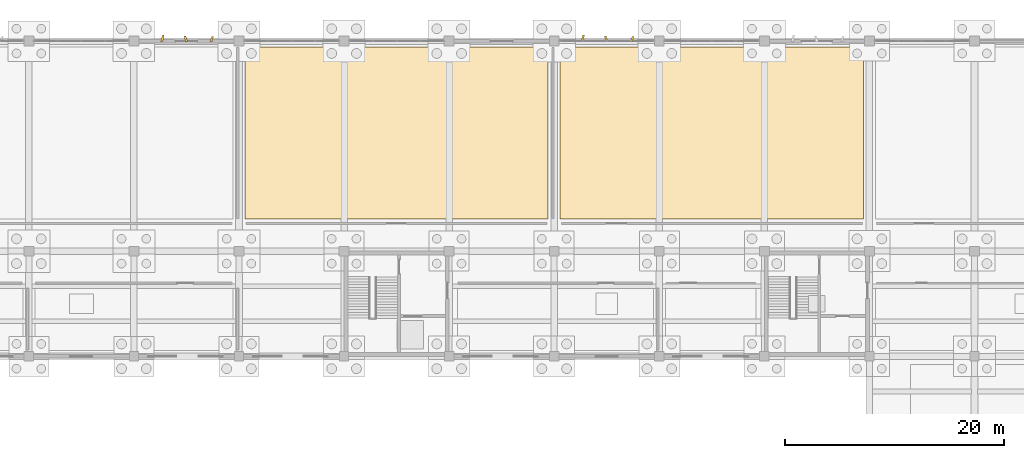
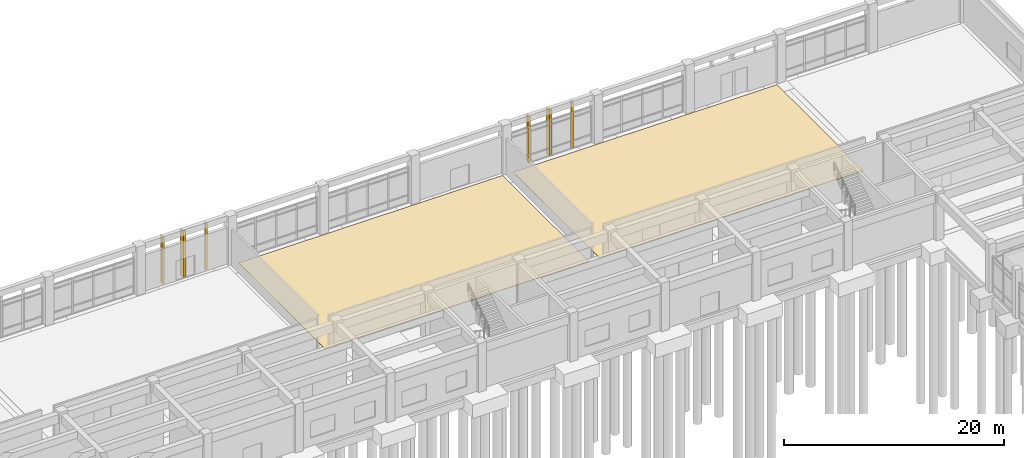
# One storey, part 96 of 102: 8 coverings.
"""IFC4 building model written with IfcOpenShell, lengths in metres."""

from ifc_helpers import new_model, si_unit, direction, frame, origin, place, context, subcontext, project, spatial, polyline, outline, extrude, material, layer, layer_set, type_object, element, save


model = new_model("IFC4")

# Units and contexts
model_context = context("Model", 3, precision=1e-05, world=origin(), true_north=direction((0.0, 1.0)))
body_context = subcontext(model_context, "Body", "Model", "MODEL_VIEW")
ifc_project = project(units=[si_unit("LENGTHUNIT", "METRE"), si_unit("AREAUNIT", "SQUARE_METRE"), si_unit("VOLUMEUNIT", "CUBIC_METRE"), si_unit("PLANEANGLEUNIT", "RADIAN"), si_unit("MASSUNIT", "GRAM", prefix="KILO")], contexts=[model_context])

# Site, building, storey
site_placement = place(None, origin())
site = spatial("IfcSite", under=ifc_project, at=site_placement, CompositionType="ELEMENT")
building_placement = place(site_placement, origin())
building = spatial("IfcBuilding", under=site, at=building_placement, Name="Kolvemor Railside Polytechnic", CompositionType="ELEMENT")
storey_placement = place(building_placement, origin())
storey = spatial("IfcBuildingStorey", under=building, at=storey_placement, Name="L00", CompositionType="ELEMENT", Elevation=0.0)

# Coverings
ifc_material_1 = material(Name="Sea-mist PVDF-anodised marine aluminium 5052-H32", Category="aluminium")
ifc_layer_1 = layer(ifc_material_1, 0.159912109375, Name="COV-FIN-MIST")
ifc_layer_set_1 = layer_set([ifc_layer_1], Name="Sea-mist PVDF-anodised marine aluminium 5052-H32")
covering_type_1 = type_object("IfcCoveringType", Name="COV-FIN-MIST", PredefinedType="CLADDING", material=ifc_layer_set_1)
covering_1_placement = place(storey_placement, frame((0.0, 0.0, 0.02001953125)))
element("IfcCovering", 1, at=covering_1_placement, inside=storey, type_object=covering_type_1, Name="Pleated Solar Fin L00-0723", PredefinedType="CLADDING", context=body_context, shape_type="SweptSolid", body=[
    extrude(outline(polyline([(69.635009765625, 119.965087890625), (69.864990234375, 119.965087890625), (69.969970703125, 120.56494140625), (69.81005859375, 120.56494140625), (69.635009765625, 119.965087890625)])), origin(), (0.0, 0.0, 1.0), 5.10009765625),
])
covering_2_placement = place(storey_placement, frame((0.0, 0.0, 0.02001953125)))
element("IfcCovering", 2, at=covering_2_placement, inside=storey, type_object=covering_type_1, Name="Pleated Solar Fin L00-0724", PredefinedType="CLADDING", context=body_context, shape_type="SweptSolid", body=[
    extrude(outline(polyline([(71.885009765625, 119.965087890625), (72.114990234375, 119.965087890625), (71.93994140625, 120.485107421875), (71.780029296875, 120.485107421875), (71.885009765625, 119.965087890625)])), origin(), (0.0, 0.0, 1.0), 5.10009765625),
])
covering_3_placement = place(storey_placement, frame((0.0, 0.0, 0.02001953125)))
element("IfcCovering", 3, at=covering_3_placement, inside=storey, type_object=covering_type_1, Name="Pleated Solar Fin L00-0725", PredefinedType="CLADDING", context=body_context, shape_type="SweptSolid", body=[
    extrude(outline(polyline([(74.135009765625, 119.965087890625), (74.364990234375, 119.965087890625), (74.469970703125, 120.405029296875), (74.31005859375, 120.405029296875), (74.135009765625, 119.965087890625)])), origin(), (0.0, 0.0, 1.0), 5.10009765625),
])
covering_4_placement = place(storey_placement, frame((0.0, 0.0, 0.02001953125)))
element("IfcCovering", 4, at=covering_4_placement, inside=storey, type_object=covering_type_1, Name="Pleated Solar Fin L00-0726", PredefinedType="CLADDING", context=body_context, shape_type="SweptSolid", body=[
    extrude(outline(polyline([(108.034912109375, 119.965087890625), (108.264892578125, 119.965087890625), (108.3701171875, 120.56494140625), (108.2099609375, 120.56494140625), (108.034912109375, 119.965087890625)])), origin(), (0.0, 0.0, 1.0), 5.10009765625),
])
covering_5_placement = place(storey_placement, frame((0.0, 0.0, 0.02001953125)))
element("IfcCovering", 5, at=covering_5_placement, inside=storey, type_object=covering_type_1, Name="Pleated Solar Fin L00-0727", PredefinedType="CLADDING", context=body_context, shape_type="SweptSolid", body=[
    extrude(outline(polyline([(110.284912109375, 119.965087890625), (110.514892578125, 119.965087890625), (110.340087890625, 120.485107421875), (110.179931640625, 120.485107421875), (110.284912109375, 119.965087890625)])), origin(), (0.0, 0.0, 1.0), 5.10009765625),
])
covering_6_placement = place(storey_placement, frame((0.0, 0.0, 0.02001953125)))
element("IfcCovering", 6, at=covering_6_placement, inside=storey, type_object=covering_type_1, Name="Pleated Solar Fin L00-0728", PredefinedType="CLADDING", context=body_context, shape_type="SweptSolid", body=[
    extrude(outline(polyline([(112.534912109375, 119.965087890625), (112.764892578125, 119.965087890625), (112.8701171875, 120.405029296875), (112.7099609375, 120.405029296875), (112.534912109375, 119.965087890625)])), origin(), (0.0, 0.0, 1.0), 5.10009765625),
])
ifc_material_2 = material(Name="Polished coral-aggregate terrazzo and laboratory epoxy flooring")
ifc_layer_2 = layer(ifc_material_2, 0.02001953125, Name="COV-FLR-1")
ifc_layer_set_2 = layer_set([ifc_layer_2], Name="Polished coral-aggregate terrazzo and laboratory epoxy flooring")
covering_type_2 = type_object("IfcCoveringType", Name="COV-FLR-1", PredefinedType="FLOORING", material=ifc_layer_set_2)
covering_7_placement = place(storey_placement, origin())
element("IfcCovering", 7, at=covering_7_placement, inside=storey, type_object=covering_type_2, Name="Robotics and Mechatronics Engineering Workshop Floor Finish", PredefinedType="FLOORING", context=body_context, shape_type="SweptSolid", body=[
    extrude(outline(polyline([(106.14990234375, 103.75), (133.85009765625, 103.75), (133.85009765625, 119.449951171875), (106.14990234375, 119.449951171875), (106.14990234375, 103.75)])), origin(), (0.0, 0.0, 1.0), 0.02001953125),
])
ifc_material_3 = material(Name="Polished coral-aggregate terrazzo and laboratory epoxy flooring")
ifc_layer_3 = layer(ifc_material_3, 0.034912109375, Name="COV-FLR-4")
ifc_layer_set_3 = layer_set([ifc_layer_3], Name="Polished coral-aggregate terrazzo and laboratory epoxy flooring")
covering_type_3 = type_object("IfcCoveringType", Name="COV-FLR-4", PredefinedType="FLOORING", material=ifc_layer_set_3)
covering_8_placement = place(storey_placement, origin())
element("IfcCovering", 8, at=covering_8_placement, inside=storey, type_object=covering_type_3, Name="Structural Testing Crane Bay Engineering Workshop Floor Finish", PredefinedType="FLOORING", context=body_context, shape_type="SweptSolid", body=[
    extrude(outline(polyline([(77.35009765625, 103.75), (105.050048828125, 103.75), (105.050048828125, 119.449951171875), (77.35009765625, 119.449951171875), (77.35009765625, 103.75)])), origin(), (0.0, 0.0, 1.0), 0.034912109375),
])

save(model, "model.ifc")
